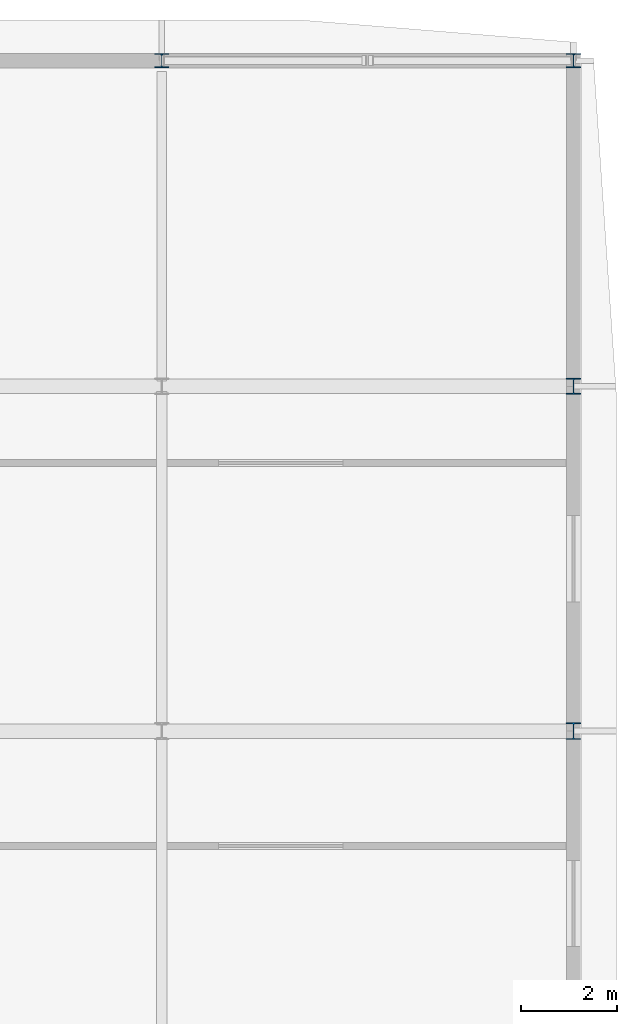
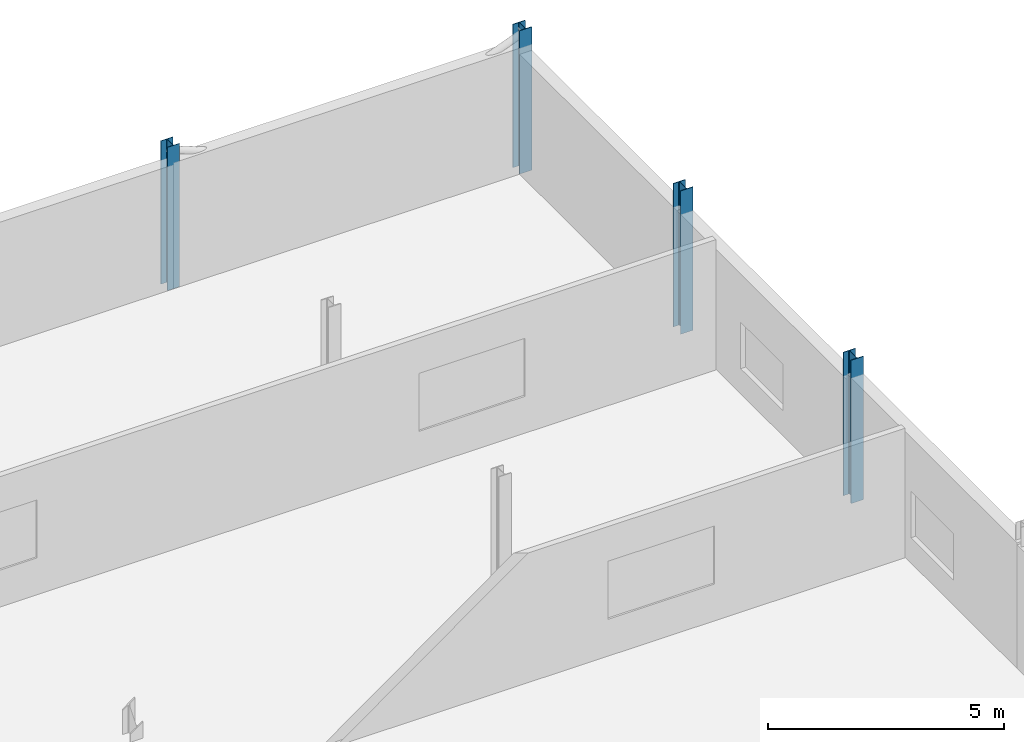
# One storey, part 8 of 30: 4 columns.
"""IFC4 building model written with IfcOpenShell, lengths in metres."""

from ifc_helpers import new_model, si_unit, direction, frame, origin, origin_2d, place, context, subcontext, project, spatial, i_section, extrude, material, material_profile, profile_set, type_object, element, save


model = new_model("IFC4")

# Units and contexts
model_context = context("Model", 3, precision=1e-05, world=origin(), true_north=direction((0.0, 1.0)))
body_context = subcontext(model_context, "Body", "Model", "MODEL_VIEW")
ifc_project = project(units=[si_unit("LENGTHUNIT", "METRE"), si_unit("AREAUNIT", "SQUARE_METRE"), si_unit("VOLUMEUNIT", "CUBIC_METRE"), si_unit("PLANEANGLEUNIT", "RADIAN"), si_unit("MASSUNIT", "GRAM", prefix="KILO")], contexts=[model_context])

# Site, building, storey
site_placement = place(None, origin())
site = spatial("IfcSite", under=ifc_project, at=site_placement, CompositionType="ELEMENT")
building_placement = place(site_placement, origin())
building = spatial("IfcBuilding", under=site, at=building_placement, Name="Vinh Khe Railworks Police Headquarters", CompositionType="ELEMENT")
storey_placement = place(building_placement, frame((0.0, 0.0, 21.0)))
storey = spatial("IfcBuildingStorey", under=building, at=storey_placement, Name="L05", CompositionType="ELEMENT", Elevation=21.0)

# Columns
ifc_material = material(Name="Steel S355JR", Category="steel")
ifc_material_profile_1 = material_profile(ifc_material, i_section(OverallWidth=0.300048828125, OverallDepth=0.2900390625, WebThickness=0.008544921875, FlangeThickness=0.013916015625, FilletRadius=0.027099609375, at=origin_2d()), Name="HEA 300")
ifc_profile_set_1 = profile_set([ifc_material_profile_1], Name="Steel S355JR")
column_type_1 = type_object("IfcColumnType", Name="Steel Column HEA 300", PredefinedType="COLUMN", material=ifc_profile_set_1)
for number, where, z_axis, x_axis, name in (
    (1, (105.0, 166.39990234375, 0.0), (0.0, 0.0, 1.0), (1.0, 0.0, 0.0), "Column COL-L05-SC-18-1394"),
    (2, (113.60009765625, 166.39990234375, 0.0), (0.0, 0.0, 1.0), (1.0, 0.0, 0.0), "Column COL-L05-SC-18-1455"),
):
    element("IfcColumn", number, at=place(storey_placement, frame(where, z_axis=z_axis, x_axis=x_axis)), inside=storey, type_object=column_type_1, Name=name, PredefinedType="COLUMN", context=body_context, shape_type="SweptSolid", body=[
        extrude(i_section(OverallWidth=0.300048828125, OverallDepth=0.2900390625, WebThickness=0.008544921875, FlangeThickness=0.013916015625, FilletRadius=0.027099609375, at=origin_2d()), origin(), (0.0, 0.0, 1.0), 3.699951171875),
    ])
ifc_material_profile_2 = material_profile(ifc_material, i_section(OverallWidth=0.300048828125, OverallDepth=0.330078125, WebThickness=0.009521484375, FlangeThickness=0.0166015625, FilletRadius=0.027099609375, at=origin_2d()), Name="HEA 340")
ifc_profile_set_2 = profile_set([ifc_material_profile_2], Name="Steel S355JR")
column_type_2 = type_object("IfcColumnType", Name="Steel Column HEA 340", PredefinedType="COLUMN", material=ifc_profile_set_2)
column_1_placement = place(storey_placement, frame((113.60009765625, 159.60009765625, 0.0), z_axis=(0.0, 0.0, 1.0), x_axis=(1.0, 0.0, 0.0)))
element("IfcColumn", 3, at=column_1_placement, inside=storey, type_object=column_type_2, Name="Column COL-L05-SC-17-1448", PredefinedType="COLUMN", context=body_context, shape_type="SweptSolid", body=[
    extrude(i_section(OverallWidth=0.300048828125, OverallDepth=0.330078125, WebThickness=0.009521484375, FlangeThickness=0.0166015625, FilletRadius=0.027099609375, at=origin_2d()), origin(), (0.0, 0.0, 1.0), 3.699951171875),
])
ifc_material_profile_3 = material_profile(ifc_material, i_section(OverallWidth=0.300048828125, OverallDepth=0.35009765625, WebThickness=0.010009765625, FlangeThickness=0.017578125, FilletRadius=0.027099609375, at=origin_2d()), Name="HEA 360")
ifc_profile_set_3 = profile_set([ifc_material_profile_3], Name="Steel S355JR")
column_type_3 = type_object("IfcColumnType", Name="Steel Column HEA 360", PredefinedType="COLUMN", material=ifc_profile_set_3)
column_2_placement = place(storey_placement, frame((113.60009765625, 152.39990234375, 0.0), z_axis=(0.0, 0.0, 1.0), x_axis=(1.0, 0.0, 0.0)))
element("IfcColumn", 4, at=column_2_placement, inside=storey, type_object=column_type_3, Name="Column COL-L05-SC-16-1441", PredefinedType="COLUMN", context=body_context, shape_type="SweptSolid", body=[
    extrude(i_section(OverallWidth=0.300048828125, OverallDepth=0.35009765625, WebThickness=0.010009765625, FlangeThickness=0.017578125, FilletRadius=0.027099609375, at=origin_2d()), origin(), (0.0, 0.0, 1.0), 3.699951171875),
])

save(model, "model.ifc")
